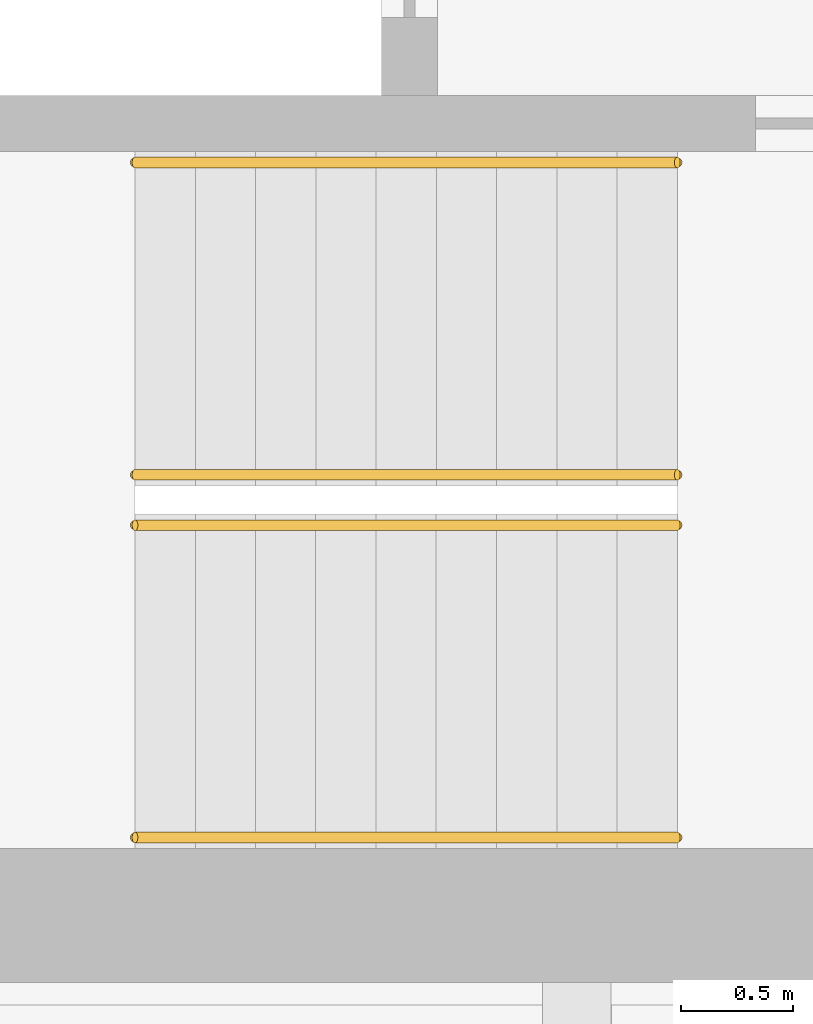
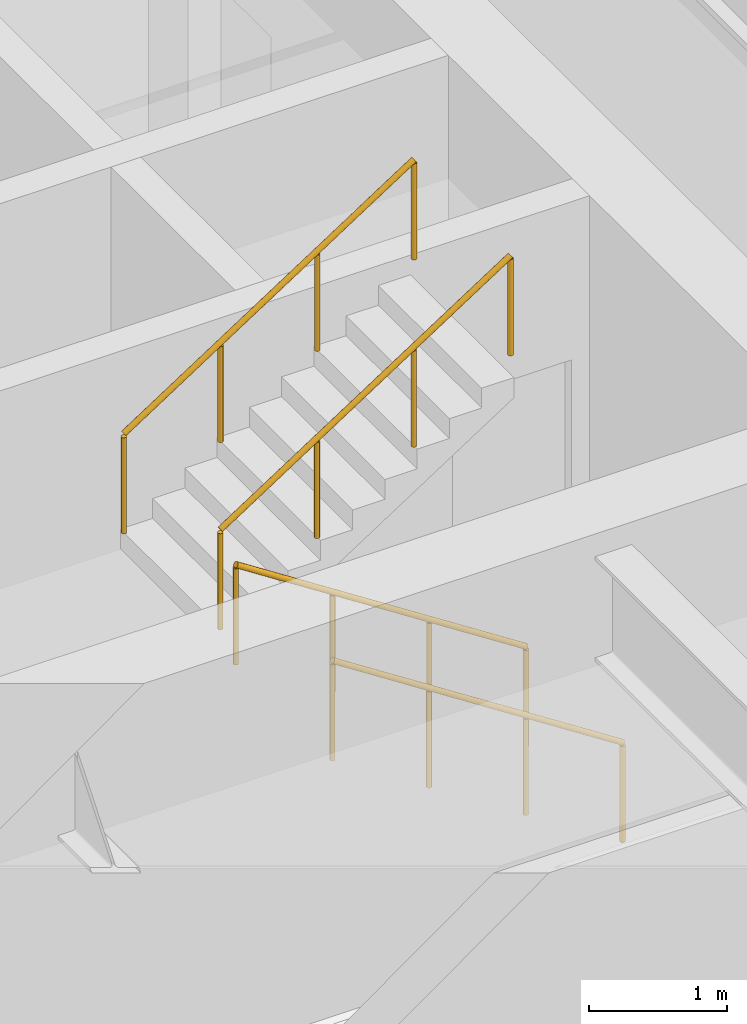
# One storey, part 17 of 21: 4 railings.
"""IFC4 building model written with IfcOpenShell, lengths in metres."""

from ifc_helpers import new_model, si_unit, direction, frame, origin, origin_2d, place, context, subcontext, project, spatial, circle, extrude, material, type_object, element, save


model = new_model("IFC4")

# Units and contexts
model_context = context("Model", 3, precision=1e-05, world=origin(), true_north=direction((0.0, 1.0)))
body_context = subcontext(model_context, "Body", "Model", "MODEL_VIEW")
ifc_project = project(units=[si_unit("LENGTHUNIT", "METRE"), si_unit("AREAUNIT", "SQUARE_METRE"), si_unit("VOLUMEUNIT", "CUBIC_METRE"), si_unit("PLANEANGLEUNIT", "RADIAN"), si_unit("MASSUNIT", "GRAM", prefix="KILO")], contexts=[model_context])

# Site, building, storey
site_placement = place(None, origin())
site = spatial("IfcSite", under=ifc_project, at=site_placement, CompositionType="ELEMENT")
building_placement = place(site_placement, origin())
building = spatial("IfcBuilding", under=site, at=building_placement, Name="Msasa Ring Tower", CompositionType="ELEMENT")
storey_placement = place(building_placement, frame((0.0, 0.0, 44.0)))
storey = spatial("IfcBuildingStorey", under=building, at=storey_placement, Name="L10", CompositionType="ELEMENT", Elevation=44.0)

# Railings
ifc_material = material(Name="Stainless steel", Category="steel")
railing_type = type_object("IfcRailingType", Name="HR1 HANDRAIL 900", PredefinedType="HANDRAIL", material=ifc_material)
for number, where, name in (
    (1, (-10.800048828125, -6.39990234375, 0.175048828125), "Handrail stair SWA L10 1"),
    (2, (-10.800048828125, -5.0, 0.175048828125), "Handrail stair SWA L10 2"),
):
    element("IfcRailing", number, at=place(storey_placement, frame(where)), inside=storey, type_object=railing_type, Name=name, PredefinedType="HANDRAIL", context=body_context, shape_type="SweptSolid", body=[
        extrude(circle(Radius=0.02392578125, at=origin_2d()), frame((0.0, 0.0, 0.8759765625), z_axis=(-0.839153699163, 0.0, 0.543894354798), x_axis=(0.0, -1.0, 0.0)), (0.0, 0.0, 1.0), 2.895751953125),
        extrude(circle(Radius=0.02099609375, at=origin_2d()), origin(), (0.0, 0.0, 1.0), 0.851806640625),
        extrude(circle(Radius=0.02099609375, at=origin_2d()), frame((-0.81005859375, 0.0, 0.52490234375)), (0.0, 0.0, 1.0), 0.851806640625),
        extrude(circle(Radius=0.02099609375, at=origin_2d()), frame((-1.619873046875, 0.0, 1.050048828125)), (0.0, 0.0, 1.0), 0.851806640625),
        extrude(circle(Radius=0.02099609375, at=origin_2d()), frame((-2.429931640625, 0.0, 1.574951171875)), (0.0, 0.0, 1.0), 0.851806640625),
    ])
for number, where, name in (
    (3, (-13.22998046875, -4.77490234375, 1.925048828125), "Handrail stair SWA L10 3"),
    (4, (-13.22998046875, -3.375, 1.925048828125), "Handrail stair SWA L10 4"),
):
    element("IfcRailing", number, at=place(storey_placement, frame(where)), inside=storey, type_object=railing_type, Name=name, PredefinedType="HANDRAIL", context=body_context, shape_type="SweptSolid", body=[
        extrude(circle(Radius=0.02392578125, at=origin_2d()), frame((0.0, 0.0, 0.8759765625), z_axis=(0.839153699163, 0.0, 0.543894354798), x_axis=(0.0, 1.0, 0.0)), (0.0, 0.0, 1.0), 2.895751953125),
        extrude(circle(Radius=0.02099609375, at=origin_2d()), origin(), (0.0, 0.0, 1.0), 0.851806640625),
        extrude(circle(Radius=0.02099609375, at=origin_2d()), frame((0.81005859375, 0.0, 0.52490234375)), (0.0, 0.0, 1.0), 0.851806640625),
        extrude(circle(Radius=0.02099609375, at=origin_2d()), frame((1.619873046875, 0.0, 1.050048828125)), (0.0, 0.0, 1.0), 0.851806640625),
        extrude(circle(Radius=0.02099609375, at=origin_2d()), frame((2.429931640625, 0.0, 1.574951171875)), (0.0, 0.0, 1.0), 0.851806640625),
    ])

save(model, "model.ifc")
